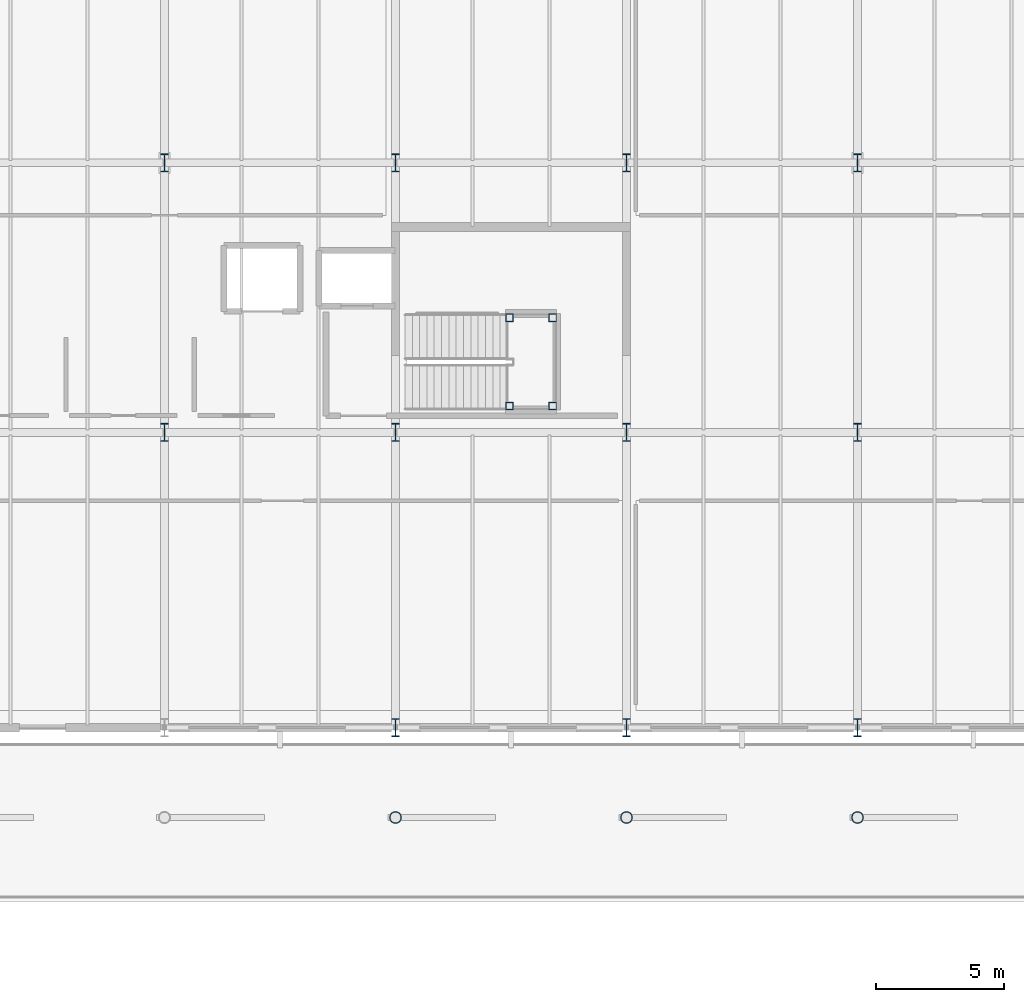
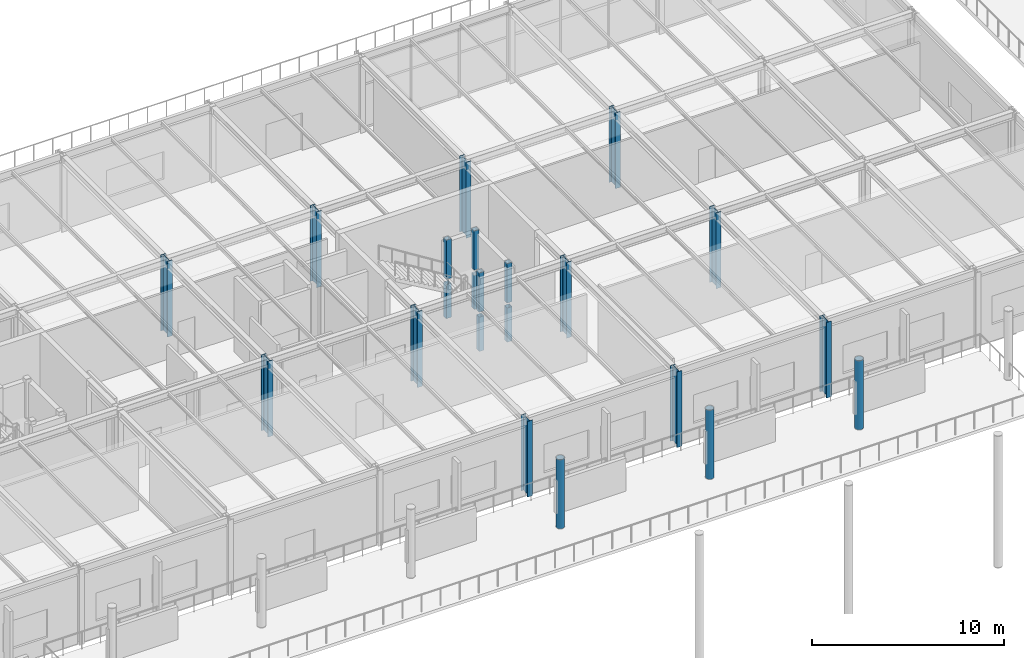
# One storey, part 10 of 143: 22 columns.
"""IFC4 building model written with IfcOpenShell, lengths in metres."""

from ifc_helpers import new_model, si_unit, direction, frame, origin, origin_2d, place, context, subcontext, project, spatial, hollow_rectangle, hollow_circle, i_section, extrude, material, material_profile, profile_set, type_object, element, save


model = new_model("IFC4")

# Units and contexts
model_context = context("Model", 3, precision=1e-05, world=origin(), true_north=direction((0.0, 1.0)))
body_context = subcontext(model_context, "Body", "Model", "MODEL_VIEW")
ifc_project = project(units=[si_unit("LENGTHUNIT", "METRE"), si_unit("AREAUNIT", "SQUARE_METRE"), si_unit("VOLUMEUNIT", "CUBIC_METRE"), si_unit("PLANEANGLEUNIT", "RADIAN"), si_unit("MASSUNIT", "GRAM", prefix="KILO")], contexts=[model_context])

# Site, building, storey
site_placement = place(None, origin())
site = spatial("IfcSite", under=ifc_project, at=site_placement, CompositionType="ELEMENT")
building_placement = place(site_placement, origin())
building = spatial("IfcBuilding", under=site, at=building_placement, Name="Marlcrest Central Station", CompositionType="ELEMENT")
storey_placement = place(building_placement, frame((0.0, 0.0, 4.800048828125)))
storey = spatial("IfcBuildingStorey", under=building, at=storey_placement, Name="L01", CompositionType="ELEMENT", Elevation=4.800048828125)

# Columns
ifc_material = material(Name="Steel S355", Category="steel")
ifc_material_profile_1 = material_profile(ifc_material, i_section(OverallWidth=0.300048828125, OverallDepth=0.699951171875, WebThickness=0.01708984375, FlangeThickness=0.031982421875, FilletRadius=0.027099609375, at=origin_2d()), Name="HEB 700")
ifc_profile_set_1 = profile_set([ifc_material_profile_1], Name="Steel S355")
column_type_1 = type_object("IfcColumnType", Name="SC-07", PredefinedType="COLUMN", material=ifc_profile_set_1)
for number, where, z_axis, x_axis, name in (
    (1, (36.0, 110.5, 0.0), (0.0, 0.0, 1.0), (1.0, 0.0, 0.0), "col-SC-07-L01-0094"),
    (2, (36.0, 121.0, 0.0), (0.0, 0.0, 1.0), (1.0, 0.0, 0.0), "col-SC-07-L01-0095"),
    (3, (45.0, 99.0, 0.0), (0.0, 0.0, 1.0), (1.0, 0.0, 0.0), "col-SC-07-L01-0097"),
    (4, (45.0, 110.5, 0.0), (0.0, 0.0, 1.0), (1.0, 0.0, 0.0), "col-SC-07-L01-0098"),
    (5, (45.0, 121.0, 0.0), (0.0, 0.0, 1.0), (1.0, 0.0, 0.0), "col-SC-07-L01-0099"),
    (6, (54.0, 99.0, 0.0), (0.0, 0.0, 1.0), (1.0, 0.0, 0.0), "col-SC-07-L01-0101"),
    (7, (54.0, 110.5, 0.0), (0.0, 0.0, 1.0), (1.0, 0.0, 0.0), "col-SC-07-L01-0102"),
    (8, (54.0, 121.0, 0.0), (0.0, 0.0, 1.0), (1.0, 0.0, 0.0), "col-SC-07-L01-0103"),
    (9, (63.0, 99.0, 0.0), (0.0, 0.0, 1.0), (1.0, 0.0, 0.0), "col-SC-07-L01-0105"),
    (10, (63.0, 110.5, 0.0), (0.0, 0.0, 1.0), (1.0, 0.0, 0.0), "col-SC-07-L01-0106"),
    (11, (63.0, 121.0, 0.0), (0.0, 0.0, 1.0), (1.0, 0.0, 0.0), "col-SC-07-L01-0107"),
):
    element("IfcColumn", number, at=place(storey_placement, frame(where, z_axis=z_axis, x_axis=x_axis)), inside=storey, type_object=column_type_1, Name=name, PredefinedType="COLUMN", context=body_context, shape_type="SweptSolid", body=[
        extrude(i_section(OverallWidth=0.300048828125, OverallDepth=0.699951171875, WebThickness=0.01708984375, FlangeThickness=0.031982421875, FilletRadius=0.027099609375, at=origin_2d()), origin(), (0.0, 0.0, 1.0), 4.820068359375),
    ])
ifc_material_profile_2 = material_profile(ifc_material, hollow_circle(Radius=0.228515625, WallThickness=0.02001953125, at=origin_2d()), Name="CHS 457x20")
ifc_profile_set_2 = profile_set([ifc_material_profile_2], Name="Steel S355")
column_type_2 = type_object("IfcColumnType", Name="SC-11", PredefinedType="COLUMN", material=ifc_profile_set_2)
for number, where, z_axis, x_axis, name in (
    (12, (45.0, 95.5, 0.0), (0.0, 0.0, 1.0), (1.0, 0.0, 0.0), "col-SC-11-L01-0471"),
    (13, (54.0, 95.5, 0.0), (0.0, 0.0, 1.0), (1.0, 0.0, 0.0), "col-SC-11-L01-0481"),
    (14, (63.0, 95.5, 0.0), (0.0, 0.0, 1.0), (1.0, 0.0, 0.0), "col-SC-11-L01-0491"),
):
    element("IfcColumn", number, at=place(storey_placement, frame(where, z_axis=z_axis, x_axis=x_axis)), inside=storey, type_object=column_type_2, Name=name, PredefinedType="COLUMN", context=body_context, shape_type="SweptSolid", body=[
        extrude(hollow_circle(Radius=0.228515625, WallThickness=0.02001953125, at=origin_2d()), origin(), (0.0, 0.0, 1.0), 4.39990234375),
    ])
ifc_material_profile_3 = material_profile(ifc_material, hollow_rectangle(XDim=0.300048828125, YDim=0.300048828125, WallThickness=0.01611328125, at=origin_2d()), Name="SHS 300x300x16")
ifc_profile_set_3 = profile_set([ifc_material_profile_3], Name="Steel S355")
column_type_3 = type_object("IfcColumnType", Name="SC-19", PredefinedType="COLUMN", material=ifc_profile_set_3)
column_1_placement = place(storey_placement, frame((49.43994140625, 111.530029296875, 0.0), z_axis=(0.0, 0.0, 1.0), x_axis=(1.0, 0.0, 0.0)))
element("IfcColumn", 15, at=column_1_placement, inside=storey, type_object=column_type_3, Name="htcol-lo-0047-0", PredefinedType="COLUMN", context=body_context, shape_type="SweptSolid", body=[
    extrude(hollow_rectangle(XDim=0.300048828125, YDim=0.300048828125, WallThickness=0.01611328125, at=origin_2d()), origin(), (0.0, 0.0, 1.0), 2.179931640625),
])
column_2_placement = place(storey_placement, frame((49.43994140625, 111.530029296875, 2.5), z_axis=(0.0, 0.0, 1.0), x_axis=(1.0, 0.0, 0.0)))
element("IfcColumn", 16, at=column_2_placement, inside=storey, type_object=column_type_3, Name="htcol-hi-0047-0", PredefinedType="COLUMN", context=body_context, shape_type="SweptSolid", body=[
    extrude(hollow_rectangle(XDim=0.300048828125, YDim=0.300048828125, WallThickness=0.01611328125, at=origin_2d()), origin(), (0.0, 0.0, 1.0), 2.5),
])
column_3_placement = place(storey_placement, frame((51.1201171875, 111.530029296875, 0.0), z_axis=(0.0, 0.0, 1.0), x_axis=(1.0, 0.0, 0.0)))
element("IfcColumn", 17, at=column_3_placement, inside=storey, type_object=column_type_3, Name="htcol-lo-0047-1", PredefinedType="COLUMN", context=body_context, shape_type="SweptSolid", body=[
    extrude(hollow_rectangle(XDim=0.300048828125, YDim=0.300048828125, WallThickness=0.01611328125, at=origin_2d()), origin(), (0.0, 0.0, 1.0), 2.179931640625),
])
column_4_placement = place(storey_placement, frame((51.1201171875, 111.530029296875, 2.5), z_axis=(0.0, 0.0, 1.0), x_axis=(1.0, 0.0, 0.0)))
element("IfcColumn", 18, at=column_4_placement, inside=storey, type_object=column_type_3, Name="htcol-hi-0047-1", PredefinedType="COLUMN", context=body_context, shape_type="SweptSolid", body=[
    extrude(hollow_rectangle(XDim=0.300048828125, YDim=0.300048828125, WallThickness=0.01611328125, at=origin_2d()), origin(), (0.0, 0.0, 1.0), 2.5),
])
column_5_placement = place(storey_placement, frame((51.1201171875, 114.969970703125, 0.0), z_axis=(0.0, 0.0, 1.0), x_axis=(1.0, 0.0, 0.0)))
element("IfcColumn", 19, at=column_5_placement, inside=storey, type_object=column_type_3, Name="htcol-lo-0047-2", PredefinedType="COLUMN", context=body_context, shape_type="SweptSolid", body=[
    extrude(hollow_rectangle(XDim=0.300048828125, YDim=0.300048828125, WallThickness=0.01611328125, at=origin_2d()), origin(), (0.0, 0.0, 1.0), 2.179931640625),
])
column_6_placement = place(storey_placement, frame((51.1201171875, 114.969970703125, 2.5), z_axis=(0.0, 0.0, 1.0), x_axis=(1.0, 0.0, 0.0)))
element("IfcColumn", 20, at=column_6_placement, inside=storey, type_object=column_type_3, Name="htcol-hi-0047-2", PredefinedType="COLUMN", context=body_context, shape_type="SweptSolid", body=[
    extrude(hollow_rectangle(XDim=0.300048828125, YDim=0.300048828125, WallThickness=0.01611328125, at=origin_2d()), origin(), (0.0, 0.0, 1.0), 2.5),
])
column_7_placement = place(storey_placement, frame((49.43994140625, 114.969970703125, 0.0), z_axis=(0.0, 0.0, 1.0), x_axis=(1.0, 0.0, 0.0)))
element("IfcColumn", 21, at=column_7_placement, inside=storey, type_object=column_type_3, Name="htcol-lo-0047-3", PredefinedType="COLUMN", context=body_context, shape_type="SweptSolid", body=[
    extrude(hollow_rectangle(XDim=0.300048828125, YDim=0.300048828125, WallThickness=0.01611328125, at=origin_2d()), origin(), (0.0, 0.0, 1.0), 2.179931640625),
])
column_8_placement = place(storey_placement, frame((49.43994140625, 114.969970703125, 2.5), z_axis=(0.0, 0.0, 1.0), x_axis=(1.0, 0.0, 0.0)))
element("IfcColumn", 22, at=column_8_placement, inside=storey, type_object=column_type_3, Name="htcol-hi-0047-3", PredefinedType="COLUMN", context=body_context, shape_type="SweptSolid", body=[
    extrude(hollow_rectangle(XDim=0.300048828125, YDim=0.300048828125, WallThickness=0.01611328125, at=origin_2d()), origin(), (0.0, 0.0, 1.0), 2.5),
])

save(model, "model.ifc")
